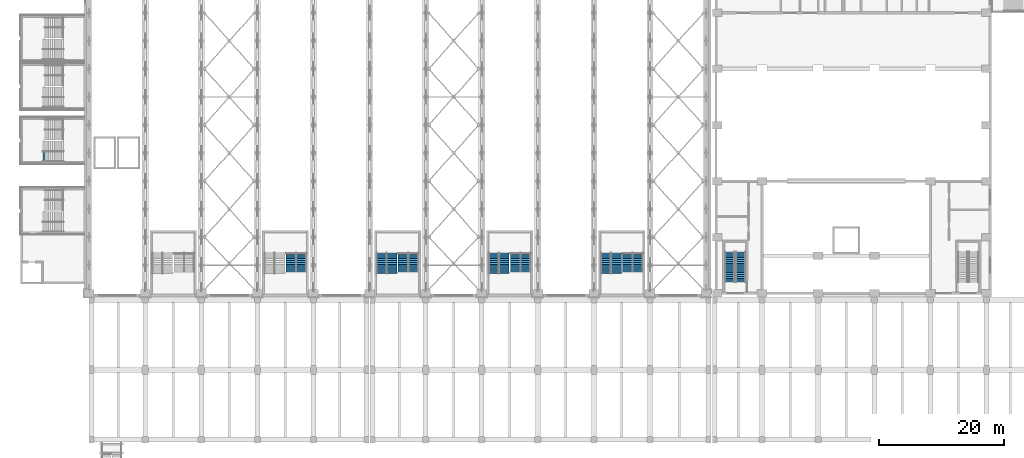
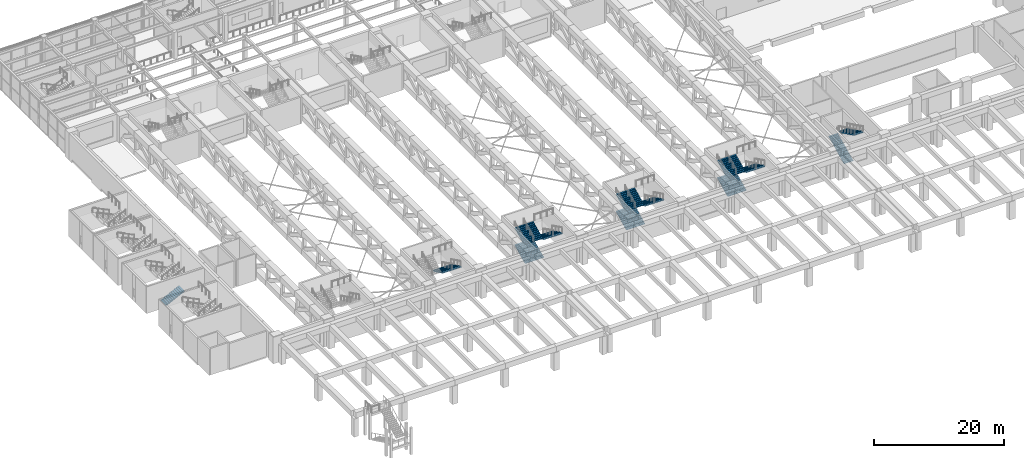
# One storey, part 47 of 76: 23 stair flights, 10 elements without a shape of their own.
"""IFC4 building model written with IfcOpenShell, lengths in metres."""

from ifc_helpers import new_model, si_unit, direction, frame, origin, place, context, subcontext, project, spatial, polyline, outline, extrude, material, type_object, element, aggregate, save


model = new_model("IFC4")

# Units and contexts
model_context = context("Model", 3, precision=1e-05, world=origin(), true_north=direction((0.0, 1.0)))
body_context = subcontext(model_context, "Body", "Model", "MODEL_VIEW")
ifc_project = project(units=[si_unit("LENGTHUNIT", "METRE"), si_unit("AREAUNIT", "SQUARE_METRE"), si_unit("VOLUMEUNIT", "CUBIC_METRE"), si_unit("PLANEANGLEUNIT", "RADIAN"), si_unit("MASSUNIT", "GRAM", prefix="KILO")], contexts=[model_context])

# Site, building, storey
site_placement = place(None, origin())
site = spatial("IfcSite", under=ifc_project, at=site_placement, CompositionType="ELEMENT")
building_placement = place(site_placement, origin())
building = spatial("IfcBuilding", under=site, at=building_placement, Name="Aravalli Gate Trade Fair Centre", CompositionType="ELEMENT")
storey_placement = place(building_placement, frame((0.0, 0.0, 10.0)))
storey = spatial("IfcBuildingStorey", under=building, at=storey_placement, Name="L02", CompositionType="ELEMENT", Elevation=10.0)

# Stair, stair flights
ifc_material_1 = material(Name="Concrete M45", Category="concrete")
stair_type_1 = type_object("IfcStairType", Name="Congress exit stair", PredefinedType="HALF_TURN_STAIR", material=ifc_material_1)
stair_1_placement = place(storey_placement, origin())
stair_1 = element("IfcStair", 1, at=stair_1_placement, inside=storey, type_object=stair_type_1, Name="Stage Stair West L02", PredefinedType="HALF_TURN_STAIR")
stair_flight_type_1 = type_object("IfcStairFlightType", Name="Congress exit stair flight", PredefinedType="STRAIGHT", material=ifc_material_1)
stair_flight_1_placement = place(storey_placement, frame((108.800048828125, 47.800048828125, 0.0), z_axis=(0.0, 0.0, 1.0), x_axis=(0.0, 1.0, 0.0)))
stair_flight_1 = element("IfcStairFlight", 2, at=stair_flight_1_placement, type_object=stair_flight_type_1, Name="GX1 flight 1", NumberOfRisers=17, NumberOfTreads=16, PredefinedType="STRAIGHT", RiserHeight=0.147058824, TreadLength=0.3, context=body_context, shape_type="SweptSolid", body=[
    extrude(outline(polyline([(0.0, 0.0), (0.0, 0.14697265625), (0.300048828125, 0.14697265625), (0.300048828125, 0.294189453125), (0.60009765625, 0.294189453125), (0.60009765625, 0.441162109375), (0.89990234375, 0.441162109375), (0.89990234375, 0.588134765625), (1.199951171875, 0.588134765625), (1.199951171875, 0.7353515625), (1.5, 0.7353515625), (1.5, 0.88232421875), (1.800048828125, 0.88232421875), (1.800048828125, 1.029296875), (2.10009765625, 1.029296875), (2.10009765625, 1.176513671875), (2.39990234375, 1.176513671875), (2.39990234375, 1.323486328125), (2.699951171875, 1.323486328125), (2.699951171875, 1.470703125), (3.0, 1.470703125), (3.0, 1.61767578125), (3.300048828125, 1.61767578125), (3.300048828125, 1.7646484375), (3.60009765625, 1.7646484375), (3.60009765625, 1.911865234375), (3.89990234375, 1.911865234375), (3.89990234375, 2.058837890625), (4.199951171875, 2.058837890625), (4.199951171875, 2.205810546875), (4.5, 2.205810546875), (4.5, 2.35302734375), (4.800048828125, 2.35302734375), (4.800048828125, 2.5), (4.800048828125, 2.18603515625), (0.340576171875, 0.0), (0.0, 0.0)])), frame((0.0, 0.800048828125, 0.0), z_axis=(0.0, -1.0, 0.0), x_axis=(1.0, 0.0, 0.0)), (0.0, 0.0, 1.0), 1.60009765625),
])
stair_flight_2_placement = place(storey_placement, frame((110.60009765625, 52.60009765625, 2.5), z_axis=(0.0, 0.0, 1.0), x_axis=(0.0, -1.0, 0.0)))
stair_flight_2 = element("IfcStairFlight", 3, at=stair_flight_2_placement, type_object=stair_flight_type_1, Name="GX1 flight 2", NumberOfRisers=17, NumberOfTreads=16, PredefinedType="STRAIGHT", RiserHeight=0.147058824, TreadLength=0.3, context=body_context, shape_type="SweptSolid", body=[
    extrude(outline(polyline([(0.0, 0.0), (0.0, 0.14697265625), (0.300048828125, 0.14697265625), (0.300048828125, 0.294189453125), (0.60009765625, 0.294189453125), (0.60009765625, 0.441162109375), (0.89990234375, 0.441162109375), (0.89990234375, 0.588134765625), (1.199951171875, 0.588134765625), (1.199951171875, 0.7353515625), (1.5, 0.7353515625), (1.5, 0.88232421875), (1.800048828125, 0.88232421875), (1.800048828125, 1.029296875), (2.10009765625, 1.029296875), (2.10009765625, 1.176513671875), (2.39990234375, 1.176513671875), (2.39990234375, 1.323486328125), (2.699951171875, 1.323486328125), (2.699951171875, 1.470703125), (3.0, 1.470703125), (3.0, 1.61767578125), (3.300048828125, 1.61767578125), (3.300048828125, 1.7646484375), (3.60009765625, 1.7646484375), (3.60009765625, 1.911865234375), (3.89990234375, 1.911865234375), (3.89990234375, 2.058837890625), (4.199951171875, 2.058837890625), (4.199951171875, 2.205810546875), (4.5, 2.205810546875), (4.5, 2.35302734375), (4.800048828125, 2.35302734375), (4.800048828125, 2.5), (4.800048828125, 2.18603515625), (0.340576171875, 0.0), (0.0, 0.0)])), frame((0.0, 0.800048828125, 0.0), z_axis=(0.0, -1.0, 0.0), x_axis=(1.0, 0.0, 0.0)), (0.0, 0.0, 1.0), 1.60009765625),
])
aggregate(stair_1, [stair_flight_1, stair_flight_2])

# Stair, stair flight
ifc_material_2 = material(Name="Concrete M40", Category="concrete")
stair_type_2 = type_object("IfcStairType", Name="Hall exit stair, three flights", PredefinedType="HALF_TURN_STAIR", material=ifc_material_2)
stair_2_placement = place(storey_placement, origin())
stair_2 = element("IfcStair", 4, at=stair_2_placement, inside=storey, type_object=stair_type_2, Name="Exit stair ST-S04 lane A L02", PredefinedType="HALF_TURN_STAIR")
stair_flight_type_2 = type_object("IfcStairFlightType", Name="Hall exit stair flight", PredefinedType="STRAIGHT", material=ifc_material_2)
stair_flight_3_placement = place(storey_placement, frame((38.419921875, 52.449951171875, 1.7646484375), z_axis=(0.0, 0.0, 1.0), x_axis=(0.0, -1.0, 0.0)))
stair_flight_3 = element("IfcStairFlight", 5, at=stair_flight_3_placement, type_object=stair_flight_type_2, Name="ST-S04A flight 2", NumberOfRisers=11, NumberOfTreads=10, PredefinedType="STRAIGHT", RiserHeight=0.147058824, TreadLength=0.3, context=body_context, shape_type="SweptSolid", body=[
    extrude(outline(polyline([(0.0, 0.0), (0.0, 0.14697265625), (0.300048828125, 0.14697265625), (0.300048828125, 0.294189453125), (0.60009765625, 0.294189453125), (0.60009765625, 0.441162109375), (0.89990234375, 0.441162109375), (0.89990234375, 0.588134765625), (1.199951171875, 0.588134765625), (1.199951171875, 0.7353515625), (1.5, 0.7353515625), (1.5, 0.88232421875), (1.800048828125, 0.88232421875), (1.800048828125, 1.029296875), (2.10009765625, 1.029296875), (2.10009765625, 1.176513671875), (2.39990234375, 1.176513671875), (2.39990234375, 1.323486328125), (2.699951171875, 1.323486328125), (2.699951171875, 1.470703125), (3.0, 1.470703125), (3.0, 1.61767578125), (3.0, 1.3037109375), (0.340576171875, 0.0), (0.0, 0.0)])), frame((0.0, 0.81982421875, 0.0), z_axis=(0.0, -1.0, 0.0), x_axis=(1.0, 0.0, 0.0)), (0.0, 0.0, 1.0), 1.639892578125),
])
aggregate(stair_2, [stair_flight_3])

stair_3_placement = place(storey_placement, origin())
stair_3 = element("IfcStair", 6, at=stair_3_placement, inside=storey, type_object=stair_type_2, Name="Exit stair ST-S04 lane B L02", PredefinedType="HALF_TURN_STAIR")
stair_flight_4_placement = place(storey_placement, frame((40.080078125, 52.449951171875, 1.7646484375), z_axis=(0.0, 0.0, 1.0), x_axis=(0.0, -1.0, 0.0)))
stair_flight_4 = element("IfcStairFlight", 7, at=stair_flight_4_placement, type_object=stair_flight_type_2, Name="ST-S04B flight 2", NumberOfRisers=11, NumberOfTreads=10, PredefinedType="STRAIGHT", RiserHeight=0.147058824, TreadLength=0.3, context=body_context, shape_type="SweptSolid", body=[
    extrude(outline(polyline([(0.0, 0.0), (0.0, 0.14697265625), (0.300048828125, 0.14697265625), (0.300048828125, 0.294189453125), (0.60009765625, 0.294189453125), (0.60009765625, 0.441162109375), (0.89990234375, 0.441162109375), (0.89990234375, 0.588134765625), (1.199951171875, 0.588134765625), (1.199951171875, 0.7353515625), (1.5, 0.7353515625), (1.5, 0.88232421875), (1.800048828125, 0.88232421875), (1.800048828125, 1.029296875), (2.10009765625, 1.029296875), (2.10009765625, 1.176513671875), (2.39990234375, 1.176513671875), (2.39990234375, 1.323486328125), (2.699951171875, 1.323486328125), (2.699951171875, 1.470703125), (3.0, 1.470703125), (3.0, 1.61767578125), (3.0, 1.3037109375), (0.340576171875, 0.0), (0.0, 0.0)])), frame((0.0, 0.81982421875, 0.0), z_axis=(0.0, -1.0, 0.0), x_axis=(1.0, 0.0, 0.0)), (0.0, 0.0, 1.0), 1.639892578125),
])
aggregate(stair_3, [stair_flight_4])

# Stair, stair flights
stair_4_placement = place(storey_placement, origin())
stair_4 = element("IfcStair", 8, at=stair_4_placement, inside=storey, type_object=stair_type_2, Name="Exit stair ST-S06 lane A L02", PredefinedType="HALF_TURN_STAIR")
stair_flight_5_placement = place(storey_placement, frame((52.919921875, 49.14990234375, 0.0), z_axis=(0.0, 0.0, 1.0), x_axis=(0.0, 1.0, 0.0)))
stair_flight_5 = element("IfcStairFlight", 9, at=stair_flight_5_placement, type_object=stair_flight_type_2, Name="ST-S06A flight 1", NumberOfRisers=12, NumberOfTreads=11, PredefinedType="STRAIGHT", RiserHeight=0.147058824, TreadLength=0.3, context=body_context, shape_type="SweptSolid", body=[
    extrude(outline(polyline([(0.0, 0.0), (0.0, 0.14697265625), (0.300048828125, 0.14697265625), (0.300048828125, 0.294189453125), (0.60009765625, 0.294189453125), (0.60009765625, 0.441162109375), (0.89990234375, 0.441162109375), (0.89990234375, 0.588134765625), (1.199951171875, 0.588134765625), (1.199951171875, 0.7353515625), (1.5, 0.7353515625), (1.5, 0.88232421875), (1.800048828125, 0.88232421875), (1.800048828125, 1.029296875), (2.10009765625, 1.029296875), (2.10009765625, 1.176513671875), (2.39990234375, 1.176513671875), (2.39990234375, 1.323486328125), (2.699951171875, 1.323486328125), (2.699951171875, 1.470703125), (3.0, 1.470703125), (3.0, 1.61767578125), (3.300048828125, 1.61767578125), (3.300048828125, 1.7646484375), (3.300048828125, 1.45068359375), (0.340576171875, 0.0), (0.0, 0.0)])), frame((0.0, 0.81982421875, 0.0), z_axis=(0.0, -1.0, 0.0), x_axis=(1.0, 0.0, 0.0)), (0.0, 0.0, 1.0), 1.639892578125),
])
stair_flight_6_placement = place(storey_placement, frame((56.419921875, 52.449951171875, 1.7646484375), z_axis=(0.0, 0.0, 1.0), x_axis=(0.0, -1.0, 0.0)))
stair_flight_6 = element("IfcStairFlight", 10, at=stair_flight_6_placement, type_object=stair_flight_type_2, Name="ST-S06A flight 2", NumberOfRisers=11, NumberOfTreads=10, PredefinedType="STRAIGHT", RiserHeight=0.147058824, TreadLength=0.3, context=body_context, shape_type="SweptSolid", body=[
    extrude(outline(polyline([(0.0, 0.0), (0.0, 0.14697265625), (0.300048828125, 0.14697265625), (0.300048828125, 0.294189453125), (0.60009765625, 0.294189453125), (0.60009765625, 0.441162109375), (0.89990234375, 0.441162109375), (0.89990234375, 0.588134765625), (1.199951171875, 0.588134765625), (1.199951171875, 0.7353515625), (1.5, 0.7353515625), (1.5, 0.88232421875), (1.800048828125, 0.88232421875), (1.800048828125, 1.029296875), (2.10009765625, 1.029296875), (2.10009765625, 1.176513671875), (2.39990234375, 1.176513671875), (2.39990234375, 1.323486328125), (2.699951171875, 1.323486328125), (2.699951171875, 1.470703125), (3.0, 1.470703125), (3.0, 1.61767578125), (3.0, 1.3037109375), (0.340576171875, 0.0), (0.0, 0.0)])), frame((0.0, 0.81982421875, 0.0), z_axis=(0.0, -1.0, 0.0), x_axis=(1.0, 0.0, 0.0)), (0.0, 0.0, 1.0), 1.639892578125),
])
stair_flight_7_placement = place(storey_placement, frame((52.919921875, 49.449951171875, 3.38232421875), z_axis=(0.0, 0.0, 1.0), x_axis=(0.0, 1.0, 0.0)))
stair_flight_7 = element("IfcStairFlight", 11, at=stair_flight_7_placement, type_object=stair_flight_type_2, Name="ST-S06A flight 3", NumberOfRisers=11, NumberOfTreads=10, PredefinedType="STRAIGHT", RiserHeight=0.147058824, TreadLength=0.3, context=body_context, shape_type="SweptSolid", body=[
    extrude(outline(polyline([(0.0, 0.0), (0.0, 0.14697265625), (0.300048828125, 0.14697265625), (0.300048828125, 0.294189453125), (0.60009765625, 0.294189453125), (0.60009765625, 0.441162109375), (0.89990234375, 0.441162109375), (0.89990234375, 0.588134765625), (1.199951171875, 0.588134765625), (1.199951171875, 0.7353515625), (1.5, 0.7353515625), (1.5, 0.88232421875), (1.800048828125, 0.88232421875), (1.800048828125, 1.029296875), (2.10009765625, 1.029296875), (2.10009765625, 1.176513671875), (2.39990234375, 1.176513671875), (2.39990234375, 1.323486328125), (2.699951171875, 1.323486328125), (2.699951171875, 1.470703125), (3.0, 1.470703125), (3.0, 1.61767578125), (3.0, 1.3037109375), (0.340576171875, 0.0), (0.0, 0.0)])), frame((0.0, 0.81982421875, 0.0), z_axis=(0.0, -1.0, 0.0), x_axis=(1.0, 0.0, 0.0)), (0.0, 0.0, 1.0), 1.639892578125),
])
aggregate(stair_4, [stair_flight_5, stair_flight_6, stair_flight_7])

stair_5_placement = place(storey_placement, origin())
stair_5 = element("IfcStair", 12, at=stair_5_placement, inside=storey, type_object=stair_type_2, Name="Exit stair ST-S06 lane B L02", PredefinedType="HALF_TURN_STAIR")
stair_flight_8_placement = place(storey_placement, frame((54.580078125, 49.14990234375, 0.0), z_axis=(0.0, 0.0, 1.0), x_axis=(0.0, 1.0, 0.0)))
stair_flight_8 = element("IfcStairFlight", 13, at=stair_flight_8_placement, type_object=stair_flight_type_2, Name="ST-S06B flight 1", NumberOfRisers=12, NumberOfTreads=11, PredefinedType="STRAIGHT", RiserHeight=0.147058824, TreadLength=0.3, context=body_context, shape_type="SweptSolid", body=[
    extrude(outline(polyline([(0.0, 0.0), (0.0, 0.14697265625), (0.300048828125, 0.14697265625), (0.300048828125, 0.294189453125), (0.60009765625, 0.294189453125), (0.60009765625, 0.441162109375), (0.89990234375, 0.441162109375), (0.89990234375, 0.588134765625), (1.199951171875, 0.588134765625), (1.199951171875, 0.7353515625), (1.5, 0.7353515625), (1.5, 0.88232421875), (1.800048828125, 0.88232421875), (1.800048828125, 1.029296875), (2.10009765625, 1.029296875), (2.10009765625, 1.176513671875), (2.39990234375, 1.176513671875), (2.39990234375, 1.323486328125), (2.699951171875, 1.323486328125), (2.699951171875, 1.470703125), (3.0, 1.470703125), (3.0, 1.61767578125), (3.300048828125, 1.61767578125), (3.300048828125, 1.7646484375), (3.300048828125, 1.45068359375), (0.340576171875, 0.0), (0.0, 0.0)])), frame((0.0, 0.81982421875, 0.0), z_axis=(0.0, -1.0, 0.0), x_axis=(1.0, 0.0, 0.0)), (0.0, 0.0, 1.0), 1.639892578125),
])
stair_flight_9_placement = place(storey_placement, frame((58.080078125, 52.449951171875, 1.7646484375), z_axis=(0.0, 0.0, 1.0), x_axis=(0.0, -1.0, 0.0)))
stair_flight_9 = element("IfcStairFlight", 14, at=stair_flight_9_placement, type_object=stair_flight_type_2, Name="ST-S06B flight 2", NumberOfRisers=11, NumberOfTreads=10, PredefinedType="STRAIGHT", RiserHeight=0.147058824, TreadLength=0.3, context=body_context, shape_type="SweptSolid", body=[
    extrude(outline(polyline([(0.0, 0.0), (0.0, 0.14697265625), (0.300048828125, 0.14697265625), (0.300048828125, 0.294189453125), (0.60009765625, 0.294189453125), (0.60009765625, 0.441162109375), (0.89990234375, 0.441162109375), (0.89990234375, 0.588134765625), (1.199951171875, 0.588134765625), (1.199951171875, 0.7353515625), (1.5, 0.7353515625), (1.5, 0.88232421875), (1.800048828125, 0.88232421875), (1.800048828125, 1.029296875), (2.10009765625, 1.029296875), (2.10009765625, 1.176513671875), (2.39990234375, 1.176513671875), (2.39990234375, 1.323486328125), (2.699951171875, 1.323486328125), (2.699951171875, 1.470703125), (3.0, 1.470703125), (3.0, 1.61767578125), (3.0, 1.3037109375), (0.340576171875, 0.0), (0.0, 0.0)])), frame((0.0, 0.81982421875, 0.0), z_axis=(0.0, -1.0, 0.0), x_axis=(1.0, 0.0, 0.0)), (0.0, 0.0, 1.0), 1.639892578125),
])
stair_flight_10_placement = place(storey_placement, frame((54.580078125, 49.449951171875, 3.38232421875), z_axis=(0.0, 0.0, 1.0), x_axis=(0.0, 1.0, 0.0)))
stair_flight_10 = element("IfcStairFlight", 15, at=stair_flight_10_placement, type_object=stair_flight_type_2, Name="ST-S06B flight 3", NumberOfRisers=11, NumberOfTreads=10, PredefinedType="STRAIGHT", RiserHeight=0.147058824, TreadLength=0.3, context=body_context, shape_type="SweptSolid", body=[
    extrude(outline(polyline([(0.0, 0.0), (0.0, 0.14697265625), (0.300048828125, 0.14697265625), (0.300048828125, 0.294189453125), (0.60009765625, 0.294189453125), (0.60009765625, 0.441162109375), (0.89990234375, 0.441162109375), (0.89990234375, 0.588134765625), (1.199951171875, 0.588134765625), (1.199951171875, 0.7353515625), (1.5, 0.7353515625), (1.5, 0.88232421875), (1.800048828125, 0.88232421875), (1.800048828125, 1.029296875), (2.10009765625, 1.029296875), (2.10009765625, 1.176513671875), (2.39990234375, 1.176513671875), (2.39990234375, 1.323486328125), (2.699951171875, 1.323486328125), (2.699951171875, 1.470703125), (3.0, 1.470703125), (3.0, 1.61767578125), (3.0, 1.3037109375), (0.340576171875, 0.0), (0.0, 0.0)])), frame((0.0, 0.81982421875, 0.0), z_axis=(0.0, -1.0, 0.0), x_axis=(1.0, 0.0, 0.0)), (0.0, 0.0, 1.0), 1.639892578125),
])
aggregate(stair_5, [stair_flight_8, stair_flight_9, stair_flight_10])

stair_6_placement = place(storey_placement, origin())
stair_6 = element("IfcStair", 16, at=stair_6_placement, inside=storey, type_object=stair_type_2, Name="Exit stair ST-S08 lane A L02", PredefinedType="HALF_TURN_STAIR")
stair_flight_11_placement = place(storey_placement, frame((70.919921875, 49.14990234375, 0.0), z_axis=(0.0, 0.0, 1.0), x_axis=(0.0, 1.0, 0.0)))
stair_flight_11 = element("IfcStairFlight", 17, at=stair_flight_11_placement, type_object=stair_flight_type_2, Name="ST-S08A flight 1", NumberOfRisers=12, NumberOfTreads=11, PredefinedType="STRAIGHT", RiserHeight=0.147058824, TreadLength=0.3, context=body_context, shape_type="SweptSolid", body=[
    extrude(outline(polyline([(0.0, 0.0), (0.0, 0.14697265625), (0.300048828125, 0.14697265625), (0.300048828125, 0.294189453125), (0.60009765625, 0.294189453125), (0.60009765625, 0.441162109375), (0.89990234375, 0.441162109375), (0.89990234375, 0.588134765625), (1.199951171875, 0.588134765625), (1.199951171875, 0.7353515625), (1.5, 0.7353515625), (1.5, 0.88232421875), (1.800048828125, 0.88232421875), (1.800048828125, 1.029296875), (2.10009765625, 1.029296875), (2.10009765625, 1.176513671875), (2.39990234375, 1.176513671875), (2.39990234375, 1.323486328125), (2.699951171875, 1.323486328125), (2.699951171875, 1.470703125), (3.0, 1.470703125), (3.0, 1.61767578125), (3.300048828125, 1.61767578125), (3.300048828125, 1.7646484375), (3.300048828125, 1.45068359375), (0.340576171875, 0.0), (0.0, 0.0)])), frame((0.0, 0.81982421875, 0.0), z_axis=(0.0, -1.0, 0.0), x_axis=(1.0, 0.0, 0.0)), (0.0, 0.0, 1.0), 1.639892578125),
])
stair_flight_12_placement = place(storey_placement, frame((74.419921875, 52.449951171875, 1.7646484375), z_axis=(0.0, 0.0, 1.0), x_axis=(0.0, -1.0, 0.0)))
stair_flight_12 = element("IfcStairFlight", 18, at=stair_flight_12_placement, type_object=stair_flight_type_2, Name="ST-S08A flight 2", NumberOfRisers=11, NumberOfTreads=10, PredefinedType="STRAIGHT", RiserHeight=0.147058824, TreadLength=0.3, context=body_context, shape_type="SweptSolid", body=[
    extrude(outline(polyline([(0.0, 0.0), (0.0, 0.14697265625), (0.300048828125, 0.14697265625), (0.300048828125, 0.294189453125), (0.60009765625, 0.294189453125), (0.60009765625, 0.441162109375), (0.89990234375, 0.441162109375), (0.89990234375, 0.588134765625), (1.199951171875, 0.588134765625), (1.199951171875, 0.7353515625), (1.5, 0.7353515625), (1.5, 0.88232421875), (1.800048828125, 0.88232421875), (1.800048828125, 1.029296875), (2.10009765625, 1.029296875), (2.10009765625, 1.176513671875), (2.39990234375, 1.176513671875), (2.39990234375, 1.323486328125), (2.699951171875, 1.323486328125), (2.699951171875, 1.470703125), (3.0, 1.470703125), (3.0, 1.61767578125), (3.0, 1.3037109375), (0.340576171875, 0.0), (0.0, 0.0)])), frame((0.0, 0.81982421875, 0.0), z_axis=(0.0, -1.0, 0.0), x_axis=(1.0, 0.0, 0.0)), (0.0, 0.0, 1.0), 1.639892578125),
])
stair_flight_13_placement = place(storey_placement, frame((70.919921875, 49.449951171875, 3.38232421875), z_axis=(0.0, 0.0, 1.0), x_axis=(0.0, 1.0, 0.0)))
stair_flight_13 = element("IfcStairFlight", 19, at=stair_flight_13_placement, type_object=stair_flight_type_2, Name="ST-S08A flight 3", NumberOfRisers=11, NumberOfTreads=10, PredefinedType="STRAIGHT", RiserHeight=0.147058824, TreadLength=0.3, context=body_context, shape_type="SweptSolid", body=[
    extrude(outline(polyline([(0.0, 0.0), (0.0, 0.14697265625), (0.300048828125, 0.14697265625), (0.300048828125, 0.294189453125), (0.60009765625, 0.294189453125), (0.60009765625, 0.441162109375), (0.89990234375, 0.441162109375), (0.89990234375, 0.588134765625), (1.199951171875, 0.588134765625), (1.199951171875, 0.7353515625), (1.5, 0.7353515625), (1.5, 0.88232421875), (1.800048828125, 0.88232421875), (1.800048828125, 1.029296875), (2.10009765625, 1.029296875), (2.10009765625, 1.176513671875), (2.39990234375, 1.176513671875), (2.39990234375, 1.323486328125), (2.699951171875, 1.323486328125), (2.699951171875, 1.470703125), (3.0, 1.470703125), (3.0, 1.61767578125), (3.0, 1.3037109375), (0.340576171875, 0.0), (0.0, 0.0)])), frame((0.0, 0.81982421875, 0.0), z_axis=(0.0, -1.0, 0.0), x_axis=(1.0, 0.0, 0.0)), (0.0, 0.0, 1.0), 1.639892578125),
])
aggregate(stair_6, [stair_flight_11, stair_flight_12, stair_flight_13])

stair_7_placement = place(storey_placement, origin())
stair_7 = element("IfcStair", 20, at=stair_7_placement, inside=storey, type_object=stair_type_2, Name="Exit stair ST-S08 lane B L02", PredefinedType="HALF_TURN_STAIR")
stair_flight_14_placement = place(storey_placement, frame((72.580078125, 49.14990234375, 0.0), z_axis=(0.0, 0.0, 1.0), x_axis=(0.0, 1.0, 0.0)))
stair_flight_14 = element("IfcStairFlight", 21, at=stair_flight_14_placement, type_object=stair_flight_type_2, Name="ST-S08B flight 1", NumberOfRisers=12, NumberOfTreads=11, PredefinedType="STRAIGHT", RiserHeight=0.147058824, TreadLength=0.3, context=body_context, shape_type="SweptSolid", body=[
    extrude(outline(polyline([(0.0, 0.0), (0.0, 0.14697265625), (0.300048828125, 0.14697265625), (0.300048828125, 0.294189453125), (0.60009765625, 0.294189453125), (0.60009765625, 0.441162109375), (0.89990234375, 0.441162109375), (0.89990234375, 0.588134765625), (1.199951171875, 0.588134765625), (1.199951171875, 0.7353515625), (1.5, 0.7353515625), (1.5, 0.88232421875), (1.800048828125, 0.88232421875), (1.800048828125, 1.029296875), (2.10009765625, 1.029296875), (2.10009765625, 1.176513671875), (2.39990234375, 1.176513671875), (2.39990234375, 1.323486328125), (2.699951171875, 1.323486328125), (2.699951171875, 1.470703125), (3.0, 1.470703125), (3.0, 1.61767578125), (3.300048828125, 1.61767578125), (3.300048828125, 1.7646484375), (3.300048828125, 1.45068359375), (0.340576171875, 0.0), (0.0, 0.0)])), frame((0.0, 0.81982421875, 0.0), z_axis=(0.0, -1.0, 0.0), x_axis=(1.0, 0.0, 0.0)), (0.0, 0.0, 1.0), 1.639892578125),
])
stair_flight_15_placement = place(storey_placement, frame((76.080078125, 52.449951171875, 1.7646484375), z_axis=(0.0, 0.0, 1.0), x_axis=(0.0, -1.0, 0.0)))
stair_flight_15 = element("IfcStairFlight", 22, at=stair_flight_15_placement, type_object=stair_flight_type_2, Name="ST-S08B flight 2", NumberOfRisers=11, NumberOfTreads=10, PredefinedType="STRAIGHT", RiserHeight=0.147058824, TreadLength=0.3, context=body_context, shape_type="SweptSolid", body=[
    extrude(outline(polyline([(0.0, 0.0), (0.0, 0.14697265625), (0.300048828125, 0.14697265625), (0.300048828125, 0.294189453125), (0.60009765625, 0.294189453125), (0.60009765625, 0.441162109375), (0.89990234375, 0.441162109375), (0.89990234375, 0.588134765625), (1.199951171875, 0.588134765625), (1.199951171875, 0.7353515625), (1.5, 0.7353515625), (1.5, 0.88232421875), (1.800048828125, 0.88232421875), (1.800048828125, 1.029296875), (2.10009765625, 1.029296875), (2.10009765625, 1.176513671875), (2.39990234375, 1.176513671875), (2.39990234375, 1.323486328125), (2.699951171875, 1.323486328125), (2.699951171875, 1.470703125), (3.0, 1.470703125), (3.0, 1.61767578125), (3.0, 1.3037109375), (0.340576171875, 0.0), (0.0, 0.0)])), frame((0.0, 0.81982421875, 0.0), z_axis=(0.0, -1.0, 0.0), x_axis=(1.0, 0.0, 0.0)), (0.0, 0.0, 1.0), 1.639892578125),
])
stair_flight_16_placement = place(storey_placement, frame((72.580078125, 49.449951171875, 3.38232421875), z_axis=(0.0, 0.0, 1.0), x_axis=(0.0, 1.0, 0.0)))
stair_flight_16 = element("IfcStairFlight", 23, at=stair_flight_16_placement, type_object=stair_flight_type_2, Name="ST-S08B flight 3", NumberOfRisers=11, NumberOfTreads=10, PredefinedType="STRAIGHT", RiserHeight=0.147058824, TreadLength=0.3, context=body_context, shape_type="SweptSolid", body=[
    extrude(outline(polyline([(0.0, 0.0), (0.0, 0.14697265625), (0.300048828125, 0.14697265625), (0.300048828125, 0.294189453125), (0.60009765625, 0.294189453125), (0.60009765625, 0.441162109375), (0.89990234375, 0.441162109375), (0.89990234375, 0.588134765625), (1.199951171875, 0.588134765625), (1.199951171875, 0.7353515625), (1.5, 0.7353515625), (1.5, 0.88232421875), (1.800048828125, 0.88232421875), (1.800048828125, 1.029296875), (2.10009765625, 1.029296875), (2.10009765625, 1.176513671875), (2.39990234375, 1.176513671875), (2.39990234375, 1.323486328125), (2.699951171875, 1.323486328125), (2.699951171875, 1.470703125), (3.0, 1.470703125), (3.0, 1.61767578125), (3.0, 1.3037109375), (0.340576171875, 0.0), (0.0, 0.0)])), frame((0.0, 0.81982421875, 0.0), z_axis=(0.0, -1.0, 0.0), x_axis=(1.0, 0.0, 0.0)), (0.0, 0.0, 1.0), 1.639892578125),
])
aggregate(stair_7, [stair_flight_14, stair_flight_15, stair_flight_16])

stair_8_placement = place(storey_placement, origin())
stair_8 = element("IfcStair", 24, at=stair_8_placement, inside=storey, type_object=stair_type_2, Name="Exit stair ST-S10 lane A L02", PredefinedType="HALF_TURN_STAIR")
stair_flight_17_placement = place(storey_placement, frame((88.919921875, 49.14990234375, 0.0), z_axis=(0.0, 0.0, 1.0), x_axis=(0.0, 1.0, 0.0)))
stair_flight_17 = element("IfcStairFlight", 25, at=stair_flight_17_placement, type_object=stair_flight_type_2, Name="ST-S10A flight 1", NumberOfRisers=12, NumberOfTreads=11, PredefinedType="STRAIGHT", RiserHeight=0.147058824, TreadLength=0.3, context=body_context, shape_type="SweptSolid", body=[
    extrude(outline(polyline([(0.0, 0.0), (0.0, 0.14697265625), (0.300048828125, 0.14697265625), (0.300048828125, 0.294189453125), (0.60009765625, 0.294189453125), (0.60009765625, 0.441162109375), (0.89990234375, 0.441162109375), (0.89990234375, 0.588134765625), (1.199951171875, 0.588134765625), (1.199951171875, 0.7353515625), (1.5, 0.7353515625), (1.5, 0.88232421875), (1.800048828125, 0.88232421875), (1.800048828125, 1.029296875), (2.10009765625, 1.029296875), (2.10009765625, 1.176513671875), (2.39990234375, 1.176513671875), (2.39990234375, 1.323486328125), (2.699951171875, 1.323486328125), (2.699951171875, 1.470703125), (3.0, 1.470703125), (3.0, 1.61767578125), (3.300048828125, 1.61767578125), (3.300048828125, 1.7646484375), (3.300048828125, 1.45068359375), (0.340576171875, 0.0), (0.0, 0.0)])), frame((0.0, 0.81982421875, 0.0), z_axis=(0.0, -1.0, 0.0), x_axis=(1.0, 0.0, 0.0)), (0.0, 0.0, 1.0), 1.639892578125),
])
stair_flight_18_placement = place(storey_placement, frame((92.419921875, 52.449951171875, 1.7646484375), z_axis=(0.0, 0.0, 1.0), x_axis=(0.0, -1.0, 0.0)))
stair_flight_18 = element("IfcStairFlight", 26, at=stair_flight_18_placement, type_object=stair_flight_type_2, Name="ST-S10A flight 2", NumberOfRisers=11, NumberOfTreads=10, PredefinedType="STRAIGHT", RiserHeight=0.147058824, TreadLength=0.3, context=body_context, shape_type="SweptSolid", body=[
    extrude(outline(polyline([(0.0, 0.0), (0.0, 0.14697265625), (0.300048828125, 0.14697265625), (0.300048828125, 0.294189453125), (0.60009765625, 0.294189453125), (0.60009765625, 0.441162109375), (0.89990234375, 0.441162109375), (0.89990234375, 0.588134765625), (1.199951171875, 0.588134765625), (1.199951171875, 0.7353515625), (1.5, 0.7353515625), (1.5, 0.88232421875), (1.800048828125, 0.88232421875), (1.800048828125, 1.029296875), (2.10009765625, 1.029296875), (2.10009765625, 1.176513671875), (2.39990234375, 1.176513671875), (2.39990234375, 1.323486328125), (2.699951171875, 1.323486328125), (2.699951171875, 1.470703125), (3.0, 1.470703125), (3.0, 1.61767578125), (3.0, 1.3037109375), (0.340576171875, 0.0), (0.0, 0.0)])), frame((0.0, 0.81982421875, 0.0), z_axis=(0.0, -1.0, 0.0), x_axis=(1.0, 0.0, 0.0)), (0.0, 0.0, 1.0), 1.639892578125),
])
stair_flight_19_placement = place(storey_placement, frame((88.919921875, 49.449951171875, 3.38232421875), z_axis=(0.0, 0.0, 1.0), x_axis=(0.0, 1.0, 0.0)))
stair_flight_19 = element("IfcStairFlight", 27, at=stair_flight_19_placement, type_object=stair_flight_type_2, Name="ST-S10A flight 3", NumberOfRisers=11, NumberOfTreads=10, PredefinedType="STRAIGHT", RiserHeight=0.147058824, TreadLength=0.3, context=body_context, shape_type="SweptSolid", body=[
    extrude(outline(polyline([(0.0, 0.0), (0.0, 0.14697265625), (0.300048828125, 0.14697265625), (0.300048828125, 0.294189453125), (0.60009765625, 0.294189453125), (0.60009765625, 0.441162109375), (0.89990234375, 0.441162109375), (0.89990234375, 0.588134765625), (1.199951171875, 0.588134765625), (1.199951171875, 0.7353515625), (1.5, 0.7353515625), (1.5, 0.88232421875), (1.800048828125, 0.88232421875), (1.800048828125, 1.029296875), (2.10009765625, 1.029296875), (2.10009765625, 1.176513671875), (2.39990234375, 1.176513671875), (2.39990234375, 1.323486328125), (2.699951171875, 1.323486328125), (2.699951171875, 1.470703125), (3.0, 1.470703125), (3.0, 1.61767578125), (3.0, 1.3037109375), (0.340576171875, 0.0), (0.0, 0.0)])), frame((0.0, 0.81982421875, 0.0), z_axis=(0.0, -1.0, 0.0), x_axis=(1.0, 0.0, 0.0)), (0.0, 0.0, 1.0), 1.639892578125),
])
aggregate(stair_8, [stair_flight_17, stair_flight_18, stair_flight_19])

stair_9_placement = place(storey_placement, origin())
stair_9 = element("IfcStair", 28, at=stair_9_placement, inside=storey, type_object=stair_type_2, Name="Exit stair ST-S10 lane B L02", PredefinedType="HALF_TURN_STAIR")
stair_flight_20_placement = place(storey_placement, frame((90.580078125, 49.14990234375, 0.0), z_axis=(0.0, 0.0, 1.0), x_axis=(0.0, 1.0, 0.0)))
stair_flight_20 = element("IfcStairFlight", 29, at=stair_flight_20_placement, type_object=stair_flight_type_2, Name="ST-S10B flight 1", NumberOfRisers=12, NumberOfTreads=11, PredefinedType="STRAIGHT", RiserHeight=0.147058824, TreadLength=0.3, context=body_context, shape_type="SweptSolid", body=[
    extrude(outline(polyline([(0.0, 0.0), (0.0, 0.14697265625), (0.300048828125, 0.14697265625), (0.300048828125, 0.294189453125), (0.60009765625, 0.294189453125), (0.60009765625, 0.441162109375), (0.89990234375, 0.441162109375), (0.89990234375, 0.588134765625), (1.199951171875, 0.588134765625), (1.199951171875, 0.7353515625), (1.5, 0.7353515625), (1.5, 0.88232421875), (1.800048828125, 0.88232421875), (1.800048828125, 1.029296875), (2.10009765625, 1.029296875), (2.10009765625, 1.176513671875), (2.39990234375, 1.176513671875), (2.39990234375, 1.323486328125), (2.699951171875, 1.323486328125), (2.699951171875, 1.470703125), (3.0, 1.470703125), (3.0, 1.61767578125), (3.300048828125, 1.61767578125), (3.300048828125, 1.7646484375), (3.300048828125, 1.45068359375), (0.340576171875, 0.0), (0.0, 0.0)])), frame((0.0, 0.81982421875, 0.0), z_axis=(0.0, -1.0, 0.0), x_axis=(1.0, 0.0, 0.0)), (0.0, 0.0, 1.0), 1.639892578125),
])
stair_flight_21_placement = place(storey_placement, frame((94.080078125, 52.449951171875, 1.7646484375), z_axis=(0.0, 0.0, 1.0), x_axis=(0.0, -1.0, 0.0)))
stair_flight_21 = element("IfcStairFlight", 30, at=stair_flight_21_placement, type_object=stair_flight_type_2, Name="ST-S10B flight 2", NumberOfRisers=11, NumberOfTreads=10, PredefinedType="STRAIGHT", RiserHeight=0.147058824, TreadLength=0.3, context=body_context, shape_type="SweptSolid", body=[
    extrude(outline(polyline([(0.0, 0.0), (0.0, 0.14697265625), (0.300048828125, 0.14697265625), (0.300048828125, 0.294189453125), (0.60009765625, 0.294189453125), (0.60009765625, 0.441162109375), (0.89990234375, 0.441162109375), (0.89990234375, 0.588134765625), (1.199951171875, 0.588134765625), (1.199951171875, 0.7353515625), (1.5, 0.7353515625), (1.5, 0.88232421875), (1.800048828125, 0.88232421875), (1.800048828125, 1.029296875), (2.10009765625, 1.029296875), (2.10009765625, 1.176513671875), (2.39990234375, 1.176513671875), (2.39990234375, 1.323486328125), (2.699951171875, 1.323486328125), (2.699951171875, 1.470703125), (3.0, 1.470703125), (3.0, 1.61767578125), (3.0, 1.3037109375), (0.340576171875, 0.0), (0.0, 0.0)])), frame((0.0, 0.81982421875, 0.0), z_axis=(0.0, -1.0, 0.0), x_axis=(1.0, 0.0, 0.0)), (0.0, 0.0, 1.0), 1.639892578125),
])
stair_flight_22_placement = place(storey_placement, frame((90.580078125, 49.449951171875, 3.38232421875), z_axis=(0.0, 0.0, 1.0), x_axis=(0.0, 1.0, 0.0)))
stair_flight_22 = element("IfcStairFlight", 31, at=stair_flight_22_placement, type_object=stair_flight_type_2, Name="ST-S10B flight 3", NumberOfRisers=11, NumberOfTreads=10, PredefinedType="STRAIGHT", RiserHeight=0.147058824, TreadLength=0.3, context=body_context, shape_type="SweptSolid", body=[
    extrude(outline(polyline([(0.0, 0.0), (0.0, 0.14697265625), (0.300048828125, 0.14697265625), (0.300048828125, 0.294189453125), (0.60009765625, 0.294189453125), (0.60009765625, 0.441162109375), (0.89990234375, 0.441162109375), (0.89990234375, 0.588134765625), (1.199951171875, 0.588134765625), (1.199951171875, 0.7353515625), (1.5, 0.7353515625), (1.5, 0.88232421875), (1.800048828125, 0.88232421875), (1.800048828125, 1.029296875), (2.10009765625, 1.029296875), (2.10009765625, 1.176513671875), (2.39990234375, 1.176513671875), (2.39990234375, 1.323486328125), (2.699951171875, 1.323486328125), (2.699951171875, 1.470703125), (3.0, 1.470703125), (3.0, 1.61767578125), (3.0, 1.3037109375), (0.340576171875, 0.0), (0.0, 0.0)])), frame((0.0, 0.81982421875, 0.0), z_axis=(0.0, -1.0, 0.0), x_axis=(1.0, 0.0, 0.0)), (0.0, 0.0, 1.0), 1.639892578125),
])
aggregate(stair_9, [stair_flight_20, stair_flight_21, stair_flight_22])

# Stair, stair flight
stair_10_placement = place(storey_placement, origin())
stair_10 = element("IfcStair", 32, at=stair_10_placement, inside=storey, type_object=stair_type_2, Name="Exit stair ST-W4 lane A L02", PredefinedType="HALF_TURN_STAIR")
stair_flight_23_placement = place(storey_placement, frame((-1.39990234375, 67.919921875, 0.0), z_axis=(0.0, 0.0, 1.0), x_axis=(1.0, 0.0, 0.0)))
stair_flight_23 = element("IfcStairFlight", 33, at=stair_flight_23_placement, type_object=stair_flight_type_2, Name="ST-W4A flight 1", NumberOfRisers=12, NumberOfTreads=11, PredefinedType="STRAIGHT", RiserHeight=0.147058824, TreadLength=0.3, context=body_context, shape_type="SweptSolid", body=[
    extrude(outline(polyline([(0.0, 0.0), (0.0, 0.14697265625), (0.300048828125, 0.14697265625), (0.300048828125, 0.294189453125), (0.60009765625, 0.294189453125), (0.60009765625, 0.441162109375), (0.89990234375, 0.441162109375), (0.89990234375, 0.588134765625), (1.199951171875, 0.588134765625), (1.199951171875, 0.7353515625), (1.5, 0.7353515625), (1.5, 0.88232421875), (1.800048828125, 0.88232421875), (1.800048828125, 1.029296875), (2.10009765625, 1.029296875), (2.10009765625, 1.176513671875), (2.39990234375, 1.176513671875), (2.39990234375, 1.323486328125), (2.699951171875, 1.323486328125), (2.699951171875, 1.470703125), (3.0, 1.470703125), (3.0, 1.61767578125), (3.300048828125, 1.61767578125), (3.300048828125, 1.7646484375), (3.300048828125, 1.45068359375), (0.340576171875, 0.0), (0.0, 0.0)])), frame((0.0, 0.81982421875, 0.0), z_axis=(0.0, -1.0, 0.0), x_axis=(1.0, 0.0, 0.0)), (0.0, 0.0, 1.0), 1.639892578125),
])
aggregate(stair_10, [stair_flight_23])

save(model, "model.ifc")
